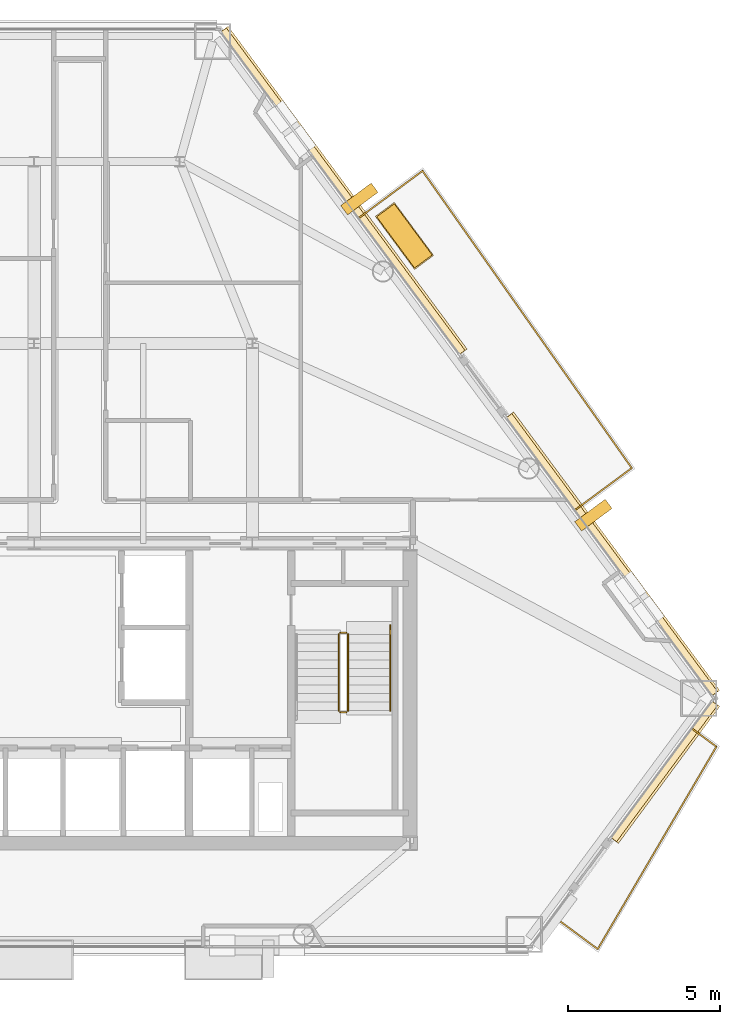
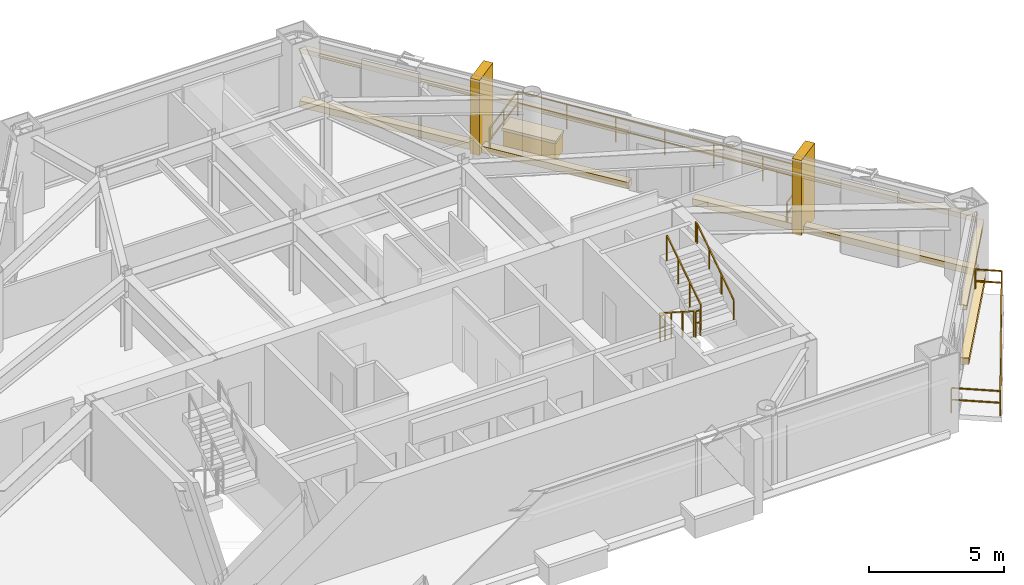
# One storey, part 11 of 11: 10 coverings, 7 railings.
"""IFC4 building model written with IfcOpenShell, lengths in metres."""

from ifc_helpers import new_model, si_unit, direction, frame, origin, origin_2d, place, context, subcontext, project, spatial, rectangle, extrude, material, layer, layer_set, type_object, element, save


model = new_model("IFC4")

# Units and contexts
model_context = context("Model", 3, precision=1e-05, world=origin(), true_north=direction((0.0, 1.0)))
body_context = subcontext(model_context, "Body", "Model", "MODEL_VIEW")
ifc_project = project(units=[si_unit("LENGTHUNIT", "METRE"), si_unit("AREAUNIT", "SQUARE_METRE"), si_unit("VOLUMEUNIT", "CUBIC_METRE"), si_unit("PLANEANGLEUNIT", "RADIAN"), si_unit("MASSUNIT", "GRAM", prefix="KILO")], contexts=[model_context])

# Site, building, storey
site_placement = place(None, origin())
site = spatial("IfcSite", under=ifc_project, at=site_placement, CompositionType="ELEMENT")
building_placement = place(site_placement, origin())
building = spatial("IfcBuilding", under=site, at=building_placement, Name="Talgorran Terracotta Tower", CompositionType="ELEMENT")
storey_placement = place(building_placement, frame((0.0, 0.0, 103.199951171875)))
storey = spatial("IfcBuildingStorey", under=building, at=storey_placement, Name="L26", CompositionType="ELEMENT", Elevation=103.199951171875)

# Coverings
ifc_material_1 = material(Name="Kiln-Fired Terracotta Ochre Ceramic", Category="masonry")
ifc_layer_1 = layer(ifc_material_1, 0.179931640625, Name="COV_BAGUETTE_TERRACOTTA_SCREEN")
ifc_layer_set_1 = layer_set([ifc_layer_1], Name="Kiln-Fired Terracotta Ochre Ceramic")
covering_type_1 = type_object("IfcCoveringType", Name="COV_BAGUETTE_TERRACOTTA_SCREEN", PredefinedType="CLADDING", material=ifc_layer_set_1)
covering_1_placement = place(storey_placement, frame((20.780517578125, -11.715087890625, 2.41015625), z_axis=(0.0, 0.0, 1.0), x_axis=(0.594906963183, 0.803794566513, 0.0)))
element("IfcCovering", 1, at=covering_1_placement, inside=storey, type_object=covering_type_1, Name="L26 Terracotta Baguette Solar Screen Assembly F31", PredefinedType="CLADDING", context=body_context, shape_type="SweptSolid", body=[
    extrude(rectangle(XDim=5.60205078125, YDim=0.260009765625, at=origin_2d()), origin(), (0.0, 0.0, 1.0), 0.219970703125),
])
covering_2_placement = place(storey_placement, frame((19.05224609375, -4.581298828125, 2.41015625), z_axis=(0.0, 0.0, 1.0), x_axis=(-0.594906963183, 0.803794566513, 0.0)))
element("IfcCovering", 2, at=covering_2_placement, inside=storey, type_object=covering_type_1, Name="L26 Terracotta Baguette Solar Screen Assembly F40", PredefinedType="CLADDING", context=body_context, shape_type="SweptSolid", body=[
    extrude(rectangle(XDim=11.412109375, YDim=0.260009765625, at=origin_2d()), origin(), (0.0, 0.0, 1.0), 0.219970703125),
])
covering_3_placement = place(storey_placement, frame((10.17431640625, 7.414306640625, 2.41015625), z_axis=(0.0, 0.0, 1.0), x_axis=(-0.594906963183, 0.803794566513, 0.0)))
element("IfcCovering", 3, at=covering_3_placement, inside=storey, type_object=covering_type_1, Name="L26 Terracotta Baguette Solar Screen Assembly F41", PredefinedType="CLADDING", context=body_context, shape_type="SweptSolid", body=[
    extrude(rectangle(XDim=13.23486328125, YDim=0.260009765625, at=origin_2d()), origin(), (0.0, 0.0, 1.0), 0.219970703125),
])
ifc_material_2 = material(Name="Honed Limestone and Terracotta Planter", Category="masonry")
ifc_layer_2 = layer(ifc_material_2, 0.1201171875, Name="COV_PLANTER_BOX")
ifc_layer_set_2 = layer_set([ifc_layer_2], Name="Honed Limestone and Terracotta Planter")
covering_type_2 = type_object("IfcCoveringType", Name="COV_PLANTER_BOX", PredefinedType="CLADDING", material=ifc_layer_set_2)
covering_4_placement = place(storey_placement, frame((12.2177734375, 5.947509765625, -0.02001953125), z_axis=(0.0, 0.0, 1.0), x_axis=(-0.594906963183, 0.803794566513, 0.0)))
element("IfcCovering", 4, at=covering_4_placement, inside=storey, type_object=covering_type_2, Name="L26 Staggered Balcony Planter Box BAL-NE", PredefinedType="CLADDING", context=body_context, shape_type="SweptSolid", body=[
    extrude(rectangle(XDim=2.10009765625, YDim=0.719970703125, at=origin_2d()), origin(), (0.0, 0.0, 1.0), 0.860107421875),
])
ifc_material_3 = material(Name="Kiln-Fired Terracotta Planter Rim", Category="masonry")
ifc_layer_3 = layer(ifc_material_3, 0.10009765625, Name="COV_PLANTER_RIM")
ifc_layer_set_3 = layer_set([ifc_layer_3], Name="Kiln-Fired Terracotta Planter Rim")
covering_type_3 = type_object("IfcCoveringType", Name="COV_PLANTER_RIM", PredefinedType="CLADDING", material=ifc_layer_set_3)
covering_5_placement = place(storey_placement, frame((12.2177734375, 5.947509765625, 0.800048828125), z_axis=(0.0, 0.0, 1.0), x_axis=(-0.594906963183, 0.803794566513, 0.0)))
element("IfcCovering", 5, at=covering_5_placement, inside=storey, type_object=covering_type_3, Name="L26 Balcony Planter Terracotta Rim BAL-NE", PredefinedType="CLADDING", context=body_context, shape_type="SweptSolid", body=[
    extrude(rectangle(XDim=2.179931640625, YDim=0.780029296875, at=origin_2d()), origin(), (0.0, 0.0, 1.0), 0.1201171875),
])
ifc_material_4 = material(Name="Honed Limestone Cladding", Category="masonry")
ifc_layer_4 = layer(ifc_material_4, 0.094970703125, Name="COV_PORTAL_LIME")
ifc_layer_set_4 = layer_set([ifc_layer_4], Name="Honed Limestone Cladding")
covering_type_4 = type_object("IfcCoveringType", Name="COV_PORTAL_LIME", PredefinedType="CLADDING", material=ifc_layer_set_4)
covering_6_placement = place(storey_placement, frame((20.8125, -11.73876953125, -0.0400390625), z_axis=(0.0, 0.0, 1.0), x_axis=(0.594906963183, 0.803794566513, 0.0)))
element("IfcCovering", 6, at=covering_6_placement, inside=storey, type_object=covering_type_4, Name="L26 Striped Postmodern Portal Cladding Band F31", PredefinedType="CLADDING", context=body_context, shape_type="SweptSolid", body=[
    extrude(rectangle(XDim=5.6220703125, YDim=0.340087890625, at=origin_2d()), origin(), (0.0, 0.0, 1.0), 0.300048828125),
])
covering_7_placement = place(storey_placement, frame((19.08447265625, -4.557373046875, -0.0400390625), z_axis=(0.0, 0.0, 1.0), x_axis=(-0.594906963183, 0.803794566513, 0.0)))
element("IfcCovering", 7, at=covering_7_placement, inside=storey, type_object=covering_type_4, Name="L26 Striped Postmodern Portal Cladding Band F40", PredefinedType="CLADDING", context=body_context, shape_type="SweptSolid", body=[
    extrude(rectangle(XDim=11.43212890625, YDim=0.340087890625, at=origin_2d()), origin(), (0.0, 0.0, 1.0), 0.300048828125),
])
covering_8_placement = place(storey_placement, frame((10.206298828125, 7.43798828125, -0.0400390625), z_axis=(0.0, 0.0, 1.0), x_axis=(-0.594906963183, 0.803794566513, 0.0)))
element("IfcCovering", 8, at=covering_8_placement, inside=storey, type_object=covering_type_4, Name="L26 Striped Postmodern Portal Cladding Band F41", PredefinedType="CLADDING", context=body_context, shape_type="SweptSolid", body=[
    extrude(rectangle(XDim=13.2548828125, YDim=0.340087890625, at=origin_2d()), origin(), (0.0, 0.0, 1.0), 0.300048828125),
])
covering_9_placement = place(storey_placement, frame((10.73095703125, 7.16650390625, -0.0498046875), z_axis=(0.0, 0.0, 1.0), x_axis=(-0.594906963183, 0.803794566513, 0.0)))
element("IfcCovering", 9, at=covering_9_placement, inside=storey, type_object=covering_type_4, Name="L26 White Striped Portal Fin F3-2", PredefinedType="CLADDING", context=body_context, shape_type="SweptSolid", body=[
    extrude(rectangle(XDim=0.3798828125, YDim=1.25, at=origin_2d()), origin(), (0.0, 0.0, 1.0), 3.39990234375),
])
ifc_material_5 = material(Name="Kiln-Fired Terracotta Cladding", Category="masonry")
ifc_layer_5 = layer(ifc_material_5, 0.090087890625, Name="COV_PORTAL_TERRA")
ifc_layer_set_5 = layer_set([ifc_layer_5], Name="Kiln-Fired Terracotta Cladding")
covering_type_5 = type_object("IfcCoveringType", Name="COV_PORTAL_TERRA", PredefinedType="CLADDING", material=ifc_layer_set_5)
covering_10_placement = place(storey_placement, frame((18.45263671875, -3.2666015625, -0.0498046875), z_axis=(0.0, 0.0, 1.0), x_axis=(-0.594906963183, 0.803794566513, 0.0)))
element("IfcCovering", 10, at=covering_10_placement, inside=storey, type_object=covering_type_5, Name="L26 Terracotta Striped Portal Fin F3-1", PredefinedType="CLADDING", context=body_context, shape_type="SweptSolid", body=[
    extrude(rectangle(XDim=0.3798828125, YDim=1.25, at=origin_2d()), origin(), (0.0, 0.0, 1.0), 3.39990234375),
])

# Railings
ifc_material_6 = material(Name="Laminated Glass and Stainless Steel 316", Category="steel")
railing_type_1 = type_object("IfcRailingType", Name="RL_BALCONY_1150", PredefinedType="BALUSTRADE", material=ifc_material_6)
railing_1_placement = place(storey_placement, frame((17.85302734375, -3.095458984375, 0.0)))
element("IfcRailing", 11, at=railing_1_placement, inside=storey, type_object=railing_type_1, Name="RL-L26-BAL-BAL-NE", PredefinedType="BALUSTRADE", context=body_context, shape_type="SweptSolid", body=[
    extrude(rectangle(XDim=0.048095703125, YDim=0.048095703125, at=origin_2d()), frame((0.0, 0.0, 1.1259765625), z_axis=(0.803793640204, 0.594908214742, 0.0), x_axis=(-0.594908214742, 0.803793640204, 0.0)), (0.0, 0.0, 1.0), 2.322265625),
    extrude(rectangle(XDim=0.048095703125, YDim=0.048095703125, at=origin_2d()), frame((0.0, 0.0, 0.597900390625), z_axis=(0.803793640204, 0.594908214742, 0.0), x_axis=(-0.594908214742, 0.803793640204, 0.0)), (0.0, 0.0, 1.0), 2.322265625),
    extrude(rectangle(XDim=0.048095703125, YDim=0.048095703125, at=origin_2d()), frame((1.86669921875, 1.381591796875, 1.1259765625), z_axis=(-0.575778236014, 0.817605909306, 0.0), x_axis=(-0.817605909306, -0.575778236014, 0.0)), (0.0, 0.0, 1.0), 11.99462890625),
    extrude(rectangle(XDim=0.048095703125, YDim=0.048095703125, at=origin_2d()), frame((1.86669921875, 1.381591796875, 0.597900390625), z_axis=(-0.575778236014, 0.817605909306, 0.0), x_axis=(-0.817605909306, -0.575778236014, 0.0)), (0.0, 0.0, 1.0), 11.99462890625),
    extrude(rectangle(XDim=0.048095703125, YDim=0.048095703125, at=origin_2d()), frame((-5.03955078125, 11.1884765625, 1.1259765625), z_axis=(-0.803751376954, -0.594965313312, 0.0), x_axis=(0.594965313312, -0.803751376954, 0.0)), (0.0, 0.0, 1.0), 2.605224609375),
    extrude(rectangle(XDim=0.048095703125, YDim=0.048095703125, at=origin_2d()), frame((-5.03955078125, 11.1884765625, 0.597900390625), z_axis=(-0.803751376954, -0.594965313312, 0.0), x_axis=(0.594965313312, -0.803751376954, 0.0)), (0.0, 0.0, 1.0), 2.605224609375),
    extrude(rectangle(XDim=0.0419921875, YDim=0.0419921875, at=origin_2d()), origin(), (0.0, 0.0, 1.0), 1.101806640625),
    extrude(rectangle(XDim=0.0419921875, YDim=0.0419921875, at=origin_2d()), frame((0.933349609375, 0.69091796875, 0.0)), (0.0, 0.0, 1.0), 1.101806640625),
    extrude(rectangle(XDim=0.0419921875, YDim=0.0419921875, at=origin_2d()), frame((1.86669921875, 1.381591796875, 0.0)), (0.0, 0.0, 1.0), 1.101806640625),
    extrude(rectangle(XDim=0.0419921875, YDim=0.0419921875, at=origin_2d()), frame((0.715576171875, 3.01611328125, 0.0)), (0.0, 0.0, 1.0), 1.101806640625),
    extrude(rectangle(XDim=0.0419921875, YDim=0.0419921875, at=origin_2d()), frame((-0.435302734375, 4.650634765625, 0.0)), (0.0, 0.0, 1.0), 1.101806640625),
    extrude(rectangle(XDim=0.0419921875, YDim=0.0419921875, at=origin_2d()), frame((-1.58642578125, 6.28515625, 0.0)), (0.0, 0.0, 1.0), 1.101806640625),
    extrude(rectangle(XDim=0.0419921875, YDim=0.0419921875, at=origin_2d()), frame((-2.737548828125, 7.91943359375, 0.0)), (0.0, 0.0, 1.0), 1.101806640625),
    extrude(rectangle(XDim=0.0419921875, YDim=0.0419921875, at=origin_2d()), frame((-3.888427734375, 9.553955078125, 0.0)), (0.0, 0.0, 1.0), 1.101806640625),
    extrude(rectangle(XDim=0.0419921875, YDim=0.0419921875, at=origin_2d()), frame((-5.03955078125, 11.1884765625, 0.0)), (0.0, 0.0, 1.0), 1.101806640625),
    extrude(rectangle(XDim=0.0419921875, YDim=0.0419921875, at=origin_2d()), frame((-6.08642578125, 10.41357421875, 0.0)), (0.0, 0.0, 1.0), 1.101806640625),
    extrude(rectangle(XDim=0.0419921875, YDim=0.0419921875, at=origin_2d()), frame((-7.133544921875, 9.638427734375, 0.0)), (0.0, 0.0, 1.0), 1.101806640625),
])
railing_2_placement = place(storey_placement, frame((17.134521484375, -16.506591796875, 0.0)))
element("IfcRailing", 12, at=railing_2_placement, inside=storey, type_object=railing_type_1, Name="RL-L26-BAL-BAL-SE", PredefinedType="BALUSTRADE", context=body_context, shape_type="SweptSolid", body=[
    extrude(rectangle(XDim=0.048095703125, YDim=0.048095703125, at=origin_2d()), frame((0.0, 0.0, 1.1259765625), z_axis=(0.803818783434, -0.594874241666, 0.0), x_axis=(0.594874241666, 0.803818783434, 0.0)), (0.0, 0.0, 1.0), 1.818115234375),
    extrude(rectangle(XDim=0.048095703125, YDim=0.048095703125, at=origin_2d()), frame((0.0, 0.0, 0.597900390625), z_axis=(0.803818783434, -0.594874241666, 0.0), x_axis=(0.594874241666, 0.803818783434, 0.0)), (0.0, 0.0, 1.0), 1.818115234375),
    extrude(rectangle(XDim=0.048095703125, YDim=0.048095703125, at=origin_2d()), frame((1.46142578125, -1.08154296875, 1.1259765625), z_axis=(0.505710599277, 0.862703187532, 0.0), x_axis=(-0.862703187532, 0.505710599277, 0.0)), (0.0, 0.0, 1.0), 7.74365234375),
    extrude(rectangle(XDim=0.048095703125, YDim=0.048095703125, at=origin_2d()), frame((1.46142578125, -1.08154296875, 0.597900390625), z_axis=(0.505710599277, 0.862703187532, 0.0), x_axis=(-0.862703187532, 0.505710599277, 0.0)), (0.0, 0.0, 1.0), 7.74365234375),
    extrude(rectangle(XDim=0.048095703125, YDim=0.048095703125, at=origin_2d()), frame((5.37744140625, 5.598876953125, 1.1259765625), z_axis=(-0.803766534166, 0.594944836564, 0.0), x_axis=(-0.594944836564, -0.803766534166, 0.0)), (0.0, 0.0, 1.0), 0.991455078125),
    extrude(rectangle(XDim=0.048095703125, YDim=0.048095703125, at=origin_2d()), frame((5.37744140625, 5.598876953125, 0.597900390625), z_axis=(-0.803766534166, 0.594944836564, 0.0), x_axis=(-0.594944836564, -0.803766534166, 0.0)), (0.0, 0.0, 1.0), 0.991455078125),
    extrude(rectangle(XDim=0.0419921875, YDim=0.0419921875, at=origin_2d()), origin(), (0.0, 0.0, 1.0), 1.101806640625),
    extrude(rectangle(XDim=0.0419921875, YDim=0.0419921875, at=origin_2d()), frame((1.46142578125, -1.08154296875, 0.0)), (0.0, 0.0, 1.0), 1.101806640625),
    extrude(rectangle(XDim=0.0419921875, YDim=0.0419921875, at=origin_2d()), frame((2.4404296875, 0.588623046875, 0.0)), (0.0, 0.0, 1.0), 1.101806640625),
    extrude(rectangle(XDim=0.0419921875, YDim=0.0419921875, at=origin_2d()), frame((3.41943359375, 2.2587890625, 0.0)), (0.0, 0.0, 1.0), 1.101806640625),
    extrude(rectangle(XDim=0.0419921875, YDim=0.0419921875, at=origin_2d()), frame((4.3984375, 3.9287109375, 0.0)), (0.0, 0.0, 1.0), 1.101806640625),
    extrude(rectangle(XDim=0.0419921875, YDim=0.0419921875, at=origin_2d()), frame((5.37744140625, 5.598876953125, 0.0)), (0.0, 0.0, 1.0), 1.101806640625),
    extrude(rectangle(XDim=0.0419921875, YDim=0.0419921875, at=origin_2d()), frame((4.58056640625, 6.188720703125, 0.0)), (0.0, 0.0, 1.0), 1.101806640625),
])
ifc_material_7 = material(Name="Steel S355 (300PLUS)", Category="steel")
railing_type_2 = type_object("IfcRailingType", Name="RL_HANDRAIL_920", PredefinedType="HANDRAIL", material=ifc_material_7)
railing_3_placement = place(storey_placement, frame((11.75, -9.719970703125, 1.97998046875)))
element("IfcRailing", 13, at=railing_3_placement, inside=storey, type_object=railing_type_2, Name="L26 ST-02 stair handrail 2", PredefinedType="HANDRAIL", context=body_context, shape_type="SweptSolid", body=[
    extrude(rectangle(XDim=0.048095703125, YDim=0.048095703125, at=origin_2d()), frame((0.0, 0.0, 0.89599609375), z_axis=(0.0, 0.832038719335, 0.554717558338), x_axis=(-1.0, 0.0, 0.0)), (0.0, 0.0, 1.0), 3.244873046875),
    extrude(rectangle(XDim=0.048095703125, YDim=0.048095703125, at=origin_2d()), frame((0.0, 2.699951171875, 2.69580078125), z_axis=(0.0, 1.0, 0.0), x_axis=(-1.0, 0.0, 0.0)), (0.0, 0.0, 1.0), 0.1201171875),
    extrude(rectangle(XDim=0.0419921875, YDim=0.0419921875, at=origin_2d()), origin(), (0.0, 0.0, 1.0), 0.871826171875),
    extrude(rectangle(XDim=0.0419921875, YDim=0.0419921875, at=origin_2d()), frame((0.0, 0.89990234375, 0.60009765625)), (0.0, 0.0, 1.0), 0.871826171875),
    extrude(rectangle(XDim=0.0419921875, YDim=0.0419921875, at=origin_2d()), frame((0.0, 1.800048828125, 1.199951171875)), (0.0, 0.0, 1.0), 0.871826171875),
    extrude(rectangle(XDim=0.0419921875, YDim=0.0419921875, at=origin_2d()), frame((0.0, 2.699951171875, 1.800048828125)), (0.0, 0.0, 1.0), 0.871826171875),
    extrude(rectangle(XDim=0.0419921875, YDim=0.0419921875, at=origin_2d()), frame((0.0, 2.820068359375, 1.800048828125)), (0.0, 0.0, 1.0), 0.871826171875),
])
railing_type_3 = type_object("IfcRailingType", Name="RL_STAIR_GUARD", PredefinedType="GUARDRAIL", material=ifc_material_7)
railing_4_placement = place(storey_placement, frame((10.050048828125, -7.199951171875, 0.179931640625)))
element("IfcRailing", 14, at=railing_4_placement, inside=storey, type_object=railing_type_3, Name="L26 ST-02 stair guard 1", PredefinedType="GUARDRAIL", context=body_context, shape_type="SweptSolid", body=[
    extrude(rectangle(XDim=0.048095703125, YDim=0.048095703125, at=origin_2d()), frame((0.0, 0.0, 1.15576171875), z_axis=(0.0, -0.841162588446, 0.540782303519), x_axis=(1.0, 0.0, 0.0)), (0.0, 0.0, 1.0), 2.995849609375),
    extrude(rectangle(XDim=0.0419921875, YDim=0.0419921875, at=origin_2d()), origin(), (0.0, 0.0, 1.0), 1.1318359375),
    extrude(rectangle(XDim=0.0419921875, YDim=0.0419921875, at=origin_2d()), frame((0.0, -0.840087890625, 0.5400390625)), (0.0, 0.0, 1.0), 1.1318359375),
    extrude(rectangle(XDim=0.0419921875, YDim=0.0419921875, at=origin_2d()), frame((0.0, -1.679931640625, 1.080078125)), (0.0, 0.0, 1.0), 1.1318359375),
    extrude(rectangle(XDim=0.0419921875, YDim=0.0419921875, at=origin_2d()), frame((0.0, -2.52001953125, 1.6201171875)), (0.0, 0.0, 1.0), 1.1318359375),
])
railing_5_placement = place(storey_placement, frame((10.10009765625, -9.77001953125, 1.800048828125)))
element("IfcRailing", 15, at=railing_5_placement, inside=storey, type_object=railing_type_3, Name="L26 ST-02 stair guard 2", PredefinedType="GUARDRAIL", context=body_context, shape_type="SweptSolid", body=[
    extrude(rectangle(XDim=0.048095703125, YDim=0.048095703125, at=origin_2d()), frame((0.0, 0.0, 1.15576171875), z_axis=(1.0, 0.0, 0.0), x_axis=(0.0, 1.0, 0.0)), (0.0, 0.0, 1.0), 0.199951171875),
    extrude(rectangle(XDim=0.048095703125, YDim=0.048095703125, at=origin_2d()), frame((0.0, 0.0, 0.613525390625), z_axis=(1.0, 0.0, 0.0), x_axis=(0.0, 1.0, 0.0)), (0.0, 0.0, 1.0), 0.199951171875),
    extrude(rectangle(XDim=0.0419921875, YDim=0.0419921875, at=origin_2d()), origin(), (0.0, 0.0, 1.0), 1.1318359375),
    extrude(rectangle(XDim=0.0419921875, YDim=0.0419921875, at=origin_2d()), frame((0.199951171875, 0.0, 0.0)), (0.0, 0.0, 1.0), 1.1318359375),
])
railing_6_placement = place(storey_placement, frame((10.35009765625, -9.719970703125, 1.97998046875)))
element("IfcRailing", 16, at=railing_6_placement, inside=storey, type_object=railing_type_3, Name="L26 ST-02 stair guard 3", PredefinedType="GUARDRAIL", context=body_context, shape_type="SweptSolid", body=[
    extrude(rectangle(XDim=0.048095703125, YDim=0.048095703125, at=origin_2d()), frame((0.0, 0.0, 1.15576171875), z_axis=(0.0, 0.841162588446, 0.540782303519), x_axis=(-1.0, 0.0, 0.0)), (0.0, 0.0, 1.0), 2.995849609375),
    extrude(rectangle(XDim=0.0419921875, YDim=0.0419921875, at=origin_2d()), origin(), (0.0, 0.0, 1.0), 1.1318359375),
    extrude(rectangle(XDim=0.0419921875, YDim=0.0419921875, at=origin_2d()), frame((0.0, 0.840087890625, 0.5400390625)), (0.0, 0.0, 1.0), 1.1318359375),
    extrude(rectangle(XDim=0.0419921875, YDim=0.0419921875, at=origin_2d()), frame((0.0, 1.679931640625, 1.080078125)), (0.0, 0.0, 1.0), 1.1318359375),
    extrude(rectangle(XDim=0.0419921875, YDim=0.0419921875, at=origin_2d()), frame((0.0, 2.52001953125, 1.6201171875)), (0.0, 0.0, 1.0), 1.1318359375),
])
railing_7_placement = place(storey_placement, frame((10.10009765625, -7.14990234375, 0.0)))
element("IfcRailing", 17, at=railing_7_placement, inside=storey, type_object=railing_type_3, Name="L26 ST-02 stair guard 4", PredefinedType="GUARDRAIL", context=body_context, shape_type="SweptSolid", body=[
    extrude(rectangle(XDim=0.048095703125, YDim=0.048095703125, at=origin_2d()), frame((0.0, 0.0, 1.15576171875), z_axis=(1.0, 0.0, 0.0), x_axis=(0.0, 1.0, 0.0)), (0.0, 0.0, 1.0), 0.199951171875),
    extrude(rectangle(XDim=0.048095703125, YDim=0.048095703125, at=origin_2d()), frame((0.0, 0.0, 0.613525390625), z_axis=(1.0, 0.0, 0.0), x_axis=(0.0, 1.0, 0.0)), (0.0, 0.0, 1.0), 0.199951171875),
    extrude(rectangle(XDim=0.0419921875, YDim=0.0419921875, at=origin_2d()), origin(), (0.0, 0.0, 1.0), 1.1318359375),
    extrude(rectangle(XDim=0.0419921875, YDim=0.0419921875, at=origin_2d()), frame((0.199951171875, 0.0, 0.0)), (0.0, 0.0, 1.0), 1.1318359375),
])

save(model, "model.ifc")
